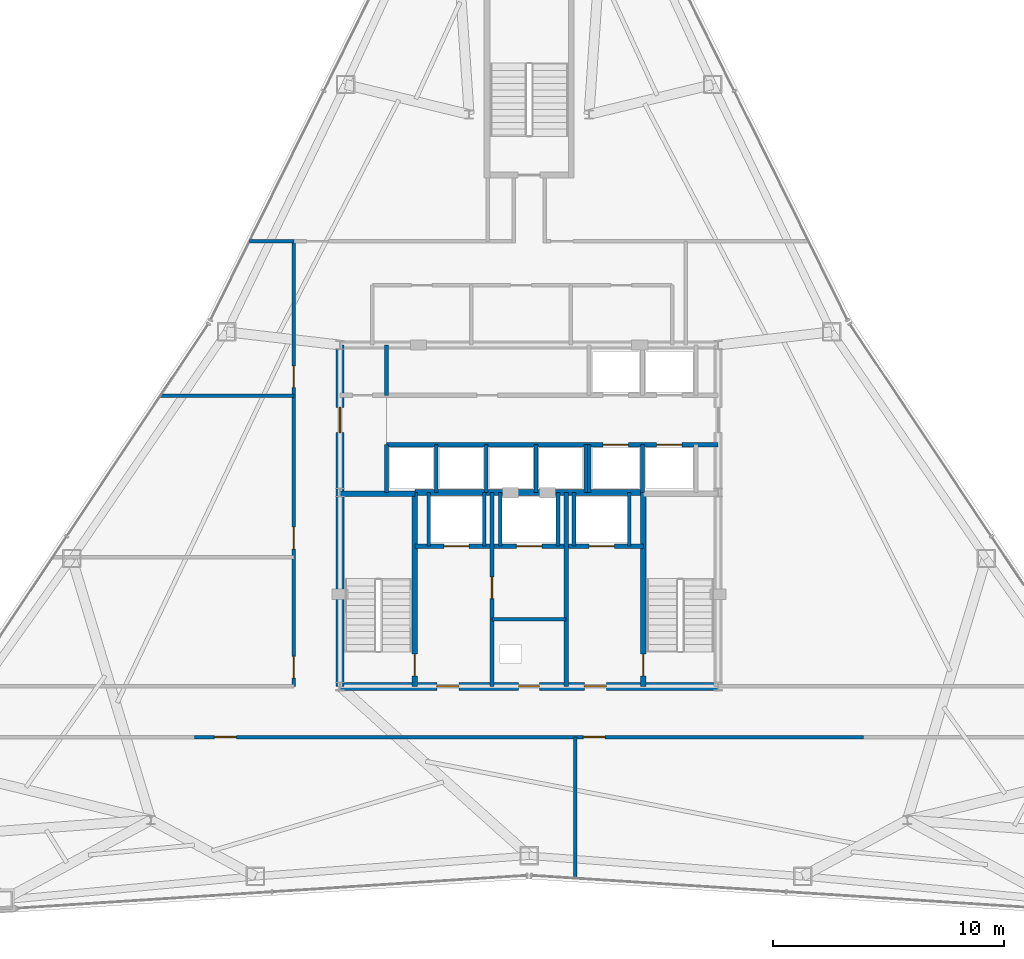
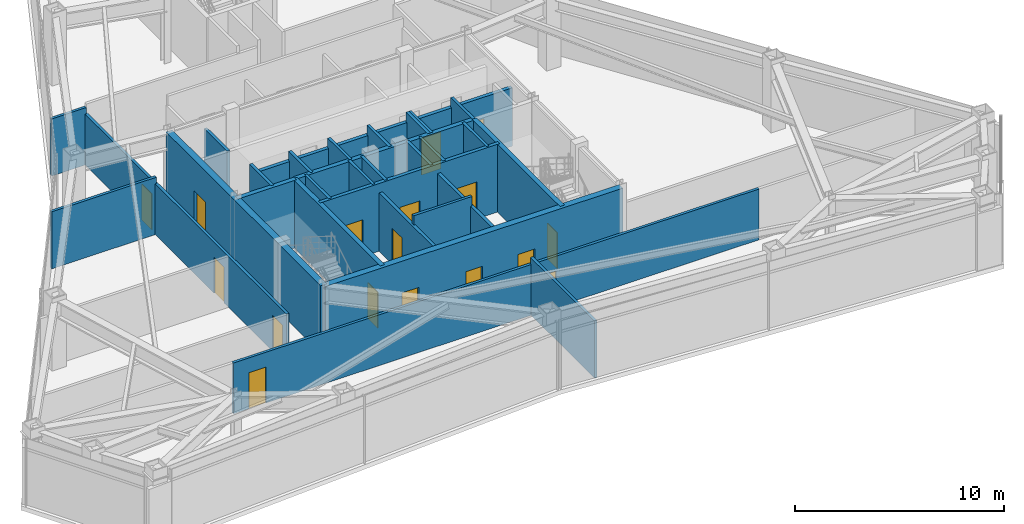
# One storey, part 10 of 13: 30 walls, 17 doors, 17 openings.
"""IFC4 building model written with IfcOpenShell, lengths in metres."""

import ifcopenshell
import ifcopenshell.guid

model = None  # the IFC model being written
_history = None  # IfcOwnerHistory: only IFC2X3 demands one
_inside = {}  # id of a spatial element -> (the spatial element, [elements in it])
_under = {}  # id of a project, library or spatial element -> (it, [spatial elements below it])
_declared = {}  # id of a project -> (the project, [libraries it declares])
_typed = {}  # id of a type object -> (the type object, [elements of that type])
_made_of = {}  # id of a material, layer set ... -> (it, [elements and type objects made of it])


def new_model(schema):
    """Start an empty IFC model of exactly this schema.

    Asked for "IFC4X3", IfcOpenShell would pick the latest addendum, in which some entities
    have other attributes; the version numbers below select the first issue.
    IFC2X3 requires an IfcOwnerHistory on every rooted entity: one is made here for all.
    """
    global model, _history
    if schema == "IFC4X3":
        model = ifcopenshell.file(schema_version=(4, 3, 0, 0))
    else:
        model = ifcopenshell.file(schema=schema)
    _inside.clear()
    _under.clear()
    _declared.clear()
    _typed.clear()
    _made_of.clear()
    _history = None
    if model.schema == "IFC2X3":
        org = make("IfcOrganization", Name="unknown")
        user = make(
            "IfcPersonAndOrganization",
            ThePerson=make("IfcPerson", FamilyName="unknown"),
            TheOrganization=org,
        )
        app = make(
            "IfcApplication",
            ApplicationDeveloper=org,
            Version="unknown",
            ApplicationFullName="unknown",
            ApplicationIdentifier="unknown",
        )
        _history = make(
            "IfcOwnerHistory",
            OwningUser=user,
            OwningApplication=app,
            ChangeAction="ADDED",
            CreationDate=0,
        )
    return model


def make(cls, **values):
    """One entity of the class cls with the attributes given. An attribute that is None is left unset."""
    return model.create_entity(
        cls, **{name: value for name, value in values.items() if value is not None}
    )


def rooted(cls, **values):
    """An entity with a GlobalId (a new one), such as an element, a storey or a relation."""
    return make(cls, GlobalId=ifcopenshell.guid.new(), OwnerHistory=_history, **values)


def si_unit(unit_type, name, prefix=None):
    """IfcSIUnit, for example si_unit("LENGTHUNIT", "METRE", prefix="MILLI")."""
    return make("IfcSIUnit", UnitType=unit_type, Prefix=prefix, Name=name)


def assignment(units):
    """IfcUnitAssignment: the units of a project."""
    return None if units is None else make("IfcUnitAssignment", Units=units)


def point(xyz):
    """IfcCartesianPoint."""
    return None if xyz is None else make("IfcCartesianPoint", Coordinates=xyz)


def direction(xyz):
    """IfcDirection."""
    return None if xyz is None else make("IfcDirection", DirectionRatios=xyz)


def frame(location, z_axis=None, x_axis=None):
    """IfcAxis2Placement3D, a coordinate frame: its origin and axes. An axis left out is left unset."""
    return make(
        "IfcAxis2Placement3D",
        Location=point(location),
        Axis=direction(z_axis),
        RefDirection=direction(x_axis),
    )


def frame_2d(location, x_axis=None):
    """IfcAxis2Placement2D, a coordinate frame in the plane: its origin and x axis."""
    return make(
        "IfcAxis2Placement2D", Location=point(location), RefDirection=direction(x_axis)
    )


def origin():
    """The frame at (0, 0, 0) with its axes left unset."""
    return frame((0.0, 0.0, 0.0))


def place(relative_to, where):
    """IfcLocalPlacement: puts the frame where relative to a parent placement (None: the world)."""
    return make(
        "IfcLocalPlacement", PlacementRelTo=relative_to, RelativePlacement=where
    )


def context(
    kind, dimensions, precision=None, world=None, true_north=None, identifier=None
):
    """IfcGeometricRepresentationContext, for example the 3D "Model" context."""
    return make(
        "IfcGeometricRepresentationContext",
        ContextIdentifier=identifier,
        ContextType=kind,
        CoordinateSpaceDimension=dimensions,
        Precision=precision,
        WorldCoordinateSystem=world,
        TrueNorth=true_north,
    )


def subcontext(parent, identifier, kind, view, scale=None):
    """IfcGeometricRepresentationSubContext, for example "Body" below "Model"."""
    return make(
        "IfcGeometricRepresentationSubContext",
        ContextIdentifier=identifier,
        ContextType=kind,
        ParentContext=parent,
        TargetScale=scale,
        TargetView=view,
    )


def project(units=None, contexts=None):
    """IfcProject with its units and contexts."""
    return rooted(
        "IfcProject",
        Name="project",
        RepresentationContexts=contexts,
        UnitsInContext=assignment(units),
    )


def spatial(cls, under=None, at=None, **own):
    """A site, building, storey or space (cls), placed at a placement, below another one or the project."""
    s = rooted(cls, ObjectPlacement=at, **own)
    if under is not None:
        _under.setdefault(under.id(), (under, []))[1].append(s)
    return s


def profile(cls, at=None, kind="AREA", **sizes):
    """A parametric profile (cls). Its sizes go by their IFC names, for example OverallWidth=200.0."""
    return make(cls, ProfileType=kind, Position=at, **sizes)


def rectangle(**sizes):
    """IfcRectangleProfileDef."""
    return profile("IfcRectangleProfileDef", **sizes)


def extrude(swept, where, along, depth):
    """IfcExtrudedAreaSolid: the profile swept, set in the frame where, extruded along a direction by depth."""
    return make(
        "IfcExtrudedAreaSolid",
        SweptArea=swept,
        Position=where,
        ExtrudedDirection=direction(along),
        Depth=depth,
    )


def shape(context_of_items, identifier, shape_type, items):
    """IfcShapeRepresentation: the items that make up one representation, for example the "Body"."""
    return make(
        "IfcShapeRepresentation",
        ContextOfItems=context_of_items,
        RepresentationIdentifier=identifier,
        RepresentationType=shape_type,
        Items=items,
    )


def material(Name=None, Category=None):
    """IfcMaterial."""
    return make("IfcMaterial", Name=Name, Category=Category)


def layer(
    of_material, thickness, ventilated=None, Name=None, Category=None, Priority=None
):
    """IfcMaterialLayer: one layer of a wall or slab, of a material (None: an air gap)."""
    return make(
        "IfcMaterialLayer",
        Material=of_material,
        LayerThickness=thickness,
        IsVentilated=ventilated,
        Name=Name,
        Category=Category,
        Priority=Priority,
    )


def layer_set(layers, Name=None):
    """IfcMaterialLayerSet."""
    return make("IfcMaterialLayerSet", MaterialLayers=layers, LayerSetName=Name)


def made_of(thing, what):
    """Note that an element or type object is made of a material, layer set ...; save() writes the relation."""
    if what is not None:
        _made_of.setdefault(what.id(), (what, []))[1].append(thing)
    return thing


def type_object(cls, material=None, **own):
    """A type object (cls), such as IfcWallType, which elements share."""
    return made_of(rooted(cls, **own), material)


def element(
    cls,
    number,
    at=None,
    inside=None,
    cuts=None,
    type_object=None,
    material=None,
    context=None,
    identifier="Body",
    shape_type=None,
    held_by="IfcProductDefinitionShape",
    body=None,
    shapes=None,
    **own,
):
    """One element of the class cls, such as IfcWall. Its Tag is "e" and its number.

    at: its placement. inside: the storey or other place that contains it. cuts: it is an
    opening in that element (IfcRelVoidsElement). A single representation is given by context,
    identifier, shape_type and body (its items); several are given by shapes. held_by: the class
    of the entity that holds the representations. save() writes the other relations.
    """
    e = rooted(cls, Tag="e%d" % number, ObjectPlacement=at, **own)
    if body is not None:
        shapes = [shape(context, identifier, shape_type, body)]
    if shapes is not None:
        e.Representation = make(held_by, Representations=shapes)
    if inside is not None:
        _inside.setdefault(inside.id(), (inside, []))[1].append(e)
    if cuts is not None:
        rooted(
            "IfcRelVoidsElement", RelatingBuildingElement=cuts, RelatedOpeningElement=e
        )
    if type_object is not None:
        _typed.setdefault(type_object.id(), (type_object, []))[1].append(e)
    return made_of(e, material)


def fill(opening, filler):
    """IfcRelFillsElement: the door or window that sits in an opening."""
    return rooted(
        "IfcRelFillsElement",
        RelatingOpeningElement=opening,
        RelatedBuildingElement=filler,
    )


def aggregate(whole, parts):
    """IfcRelAggregates: a whole, such as a stair, and the parts it consists of."""
    return rooted("IfcRelAggregates", RelatingObject=whole, RelatedObjects=parts)


def save(model, path):
    """Write the relations noted so far, then the file.

    IfcRelAggregates (storeys below a building ...), IfcRelContainedInSpatialStructure (elements
    in a storey), IfcRelDefinesByType, IfcRelAssociatesMaterial and IfcRelDeclares: one each for
    every whole, place, type object, material and project.
    """
    for whole, parts in _under.values():
        aggregate(whole, parts)
    for where, things in _inside.values():
        rooted(
            "IfcRelContainedInSpatialStructure",
            RelatedElements=things,
            RelatingStructure=where,
        )
    for kind, things in _typed.values():
        rooted("IfcRelDefinesByType", RelatedObjects=things, RelatingType=kind)
    for what, things in _made_of.values():
        rooted("IfcRelAssociatesMaterial", RelatedObjects=things, RelatingMaterial=what)
    for by, libraries in _declared.values():
        rooted("IfcRelDeclares", RelatingContext=by, RelatedDefinitions=libraries)
    model.write(path)


model = new_model("IFC4")

# Units and contexts
model_context = context("Model", 3, precision=1e-05, world=origin(), true_north=direction((0.0, 1.0)))
body_context = subcontext(model_context, "Body", "Model", "MODEL_VIEW")
ifc_project = project(units=[si_unit("LENGTHUNIT", "METRE"), si_unit("AREAUNIT", "SQUARE_METRE"), si_unit("VOLUMEUNIT", "CUBIC_METRE"), si_unit("PLANEANGLEUNIT", "RADIAN"), si_unit("MASSUNIT", "GRAM", prefix="KILO")], contexts=[model_context])

# Site, building, storey
site_placement = place(None, origin())
site = spatial("IfcSite", under=ifc_project, at=site_placement, CompositionType="ELEMENT")
building_placement = place(site_placement, origin())
building = spatial("IfcBuilding", under=site, at=building_placement, Name="Varakhsha Concourse Tower", CompositionType="ELEMENT")
storey_placement = place(building_placement, frame((0.0, 0.0, 200.699951171875)))
storey = spatial("IfcBuildingStorey", under=building, at=storey_placement, Name="L57", CompositionType="ELEMENT", Elevation=200.699951171875)

# Wall, openings, doors
ifc_material_1 = material(Name="Concrete fc 65 MPa", Category="concrete")
ifc_layer_1 = layer(ifc_material_1, 0.35009765625, Name="WL-CORE-350")
ifc_layer_set_1 = layer_set([ifc_layer_1], Name="Concrete fc 65 MPa")
wall_type_1 = type_object("IfcWallType", Name="WL-CORE-350", PredefinedType="SHEAR", material=ifc_layer_set_1)
wall_1_placement = place(storey_placement, frame((31.800048828125, 16.39990234375, 0.0), z_axis=(0.0, 0.0, 1.0), x_axis=(1.0, 0.0, 0.0)))
wall_1 = element("IfcWall", 1, at=wall_1_placement, inside=storey, type_object=wall_type_1, Name="L57 Wall CWALL-S-L57", PredefinedType="SHEAR", context=body_context, shape_type="SweptSolid", body=[
    extrude(rectangle(XDim=16.39990234375, YDim=0.35009765625, at=frame_2d((8.199951171875, 0.0))), origin(), (0.0, 0.0, 1.0), 3.949951171875),
])
opening_1_placement = place(wall_1_placement, frame((7.75, 0.0, 0.0)))
opening_1 = element("IfcOpeningElement", 2, at=opening_1_placement, cuts=wall_1, Name="Opening DF-06", PredefinedType="OPENING", context=body_context, shape_type="SweptSolid", body=[
    extrude(rectangle(XDim=0.89990234375, YDim=2.10009765625, at=frame_2d((0.449951171875, 1.050048828125))), frame((0.0, 0.18505859375, 0.0), z_axis=(0.0, -1.0, 0.0), x_axis=(1.0, 0.0, 0.0)), (0.0, 0.0, 1.0), 0.3701171875),
])
opening_2_placement = place(wall_1_placement, frame((4.199951171875, 0.0, 0.0)))
opening_2 = element("IfcOpeningElement", 3, at=opening_2_placement, cuts=wall_1, Name="Opening DF-05", PredefinedType="OPENING", context=body_context, shape_type="SweptSolid", body=[
    extrude(rectangle(XDim=0.949951171875, YDim=2.10009765625, at=frame_2d((0.47509765625, 1.050048828125))), frame((0.0, 0.18505859375, 0.0), z_axis=(0.0, -1.0, 0.0), x_axis=(1.0, 0.0, 0.0)), (0.0, 0.0, 1.0), 0.3701171875),
])
opening_3_placement = place(wall_1_placement, frame((10.60009765625, 0.0, 0.0)))
opening_3 = element("IfcOpeningElement", 4, at=opening_3_placement, cuts=wall_1, Name="Opening DF-05", PredefinedType="OPENING", context=body_context, shape_type="SweptSolid", body=[
    extrude(rectangle(XDim=0.949951171875, YDim=2.10009765625, at=frame_2d((0.47509765625, 1.050048828125))), frame((0.0, 0.18505859375, 0.0), z_axis=(0.0, -1.0, 0.0), x_axis=(1.0, 0.0, 0.0)), (0.0, 0.0, 1.0), 0.3701171875),
])
ifc_material_2 = material(Name="Hollow Galvanised Steel Fire Door Assembly", Category="steel")
door_type_1 = type_object("IfcDoorType", Name="DR-FD60-900", OperationType="NOTDEFINED", PredefinedType="DOOR", material=ifc_material_2)
door_1_placement = place(opening_1_placement, origin())
door_1 = element("IfcDoor", 5, at=door_1_placement, inside=storey, type_object=door_type_1, Name="L57 Electrical Riser Access Door", OperationType="SINGLE_SWING_LEFT", OverallHeight=2.10009765625, OverallWidth=0.89990234375, PredefinedType="DOOR", context=body_context, shape_type="SweptSolid", body=[
    extrude(rectangle(XDim=0.89990234375, YDim=2.10009765625, at=frame_2d((0.449951171875, 1.050048828125))), frame((0.0, 0.02490234375, 0.0), z_axis=(0.0, -1.0, 0.0), x_axis=(1.0, 0.0, 0.0)), (0.0, 0.0, 1.0), 0.050048828125),
])
fill(opening_1, door_1)
door_type_2 = type_object("IfcDoorType", Name="DR-FD60-950", OperationType="NOTDEFINED", PredefinedType="DOOR", material=ifc_material_2)
door_2_placement = place(opening_2_placement, origin())
door_2 = element("IfcDoor", 6, at=door_2_placement, inside=storey, type_object=door_type_2, Name="L57 Firefighting Lobby West Door", OperationType="SINGLE_SWING_RIGHT", OverallHeight=2.10009765625, OverallWidth=0.949951171875, PredefinedType="DOOR", context=body_context, shape_type="SweptSolid", body=[
    extrude(rectangle(XDim=0.949951171875, YDim=2.10009765625, at=frame_2d((0.47509765625, 1.050048828125))), frame((0.0, 0.02490234375, 0.0), z_axis=(0.0, -1.0, 0.0), x_axis=(1.0, 0.0, 0.0)), (0.0, 0.0, 1.0), 0.050048828125),
])
fill(opening_2, door_2)
door_3_placement = place(opening_3_placement, origin())
door_3 = element("IfcDoor", 7, at=door_3_placement, inside=storey, type_object=door_type_2, Name="L57 Firefighting Lobby East Door", OperationType="SINGLE_SWING_LEFT", OverallHeight=2.10009765625, OverallWidth=0.949951171875, PredefinedType="DOOR", context=body_context, shape_type="SweptSolid", body=[
    extrude(rectangle(XDim=0.949951171875, YDim=2.10009765625, at=frame_2d((0.47509765625, 1.050048828125))), frame((0.0, 0.02490234375, 0.0), z_axis=(0.0, -1.0, 0.0), x_axis=(1.0, 0.0, 0.0)), (0.0, 0.0, 1.0), 0.050048828125),
])
fill(opening_3, door_3)

# Wall, opening, door
wall_2_placement = place(storey_placement, frame((31.800048828125, 16.39990234375, 0.0), z_axis=(0.0, 0.0, 1.0), x_axis=(0.0, 1.0, 0.0)))
wall_2 = element("IfcWall", 8, at=wall_2_placement, inside=storey, type_object=wall_type_1, Name="L57 Wall CWALL-W-L57", PredefinedType="SHEAR", context=body_context, shape_type="SweptSolid", body=[
    extrude(rectangle(XDim=14.800048828125, YDim=0.35009765625, at=frame_2d((7.39990234375, 0.0))), origin(), (0.0, 0.0, 1.0), 3.949951171875),
])
opening_4_placement = place(wall_2_placement, frame((11.0, 0.0, 0.0)))
opening_4 = element("IfcOpeningElement", 9, at=opening_4_placement, cuts=wall_2, Name="Opening DL-01", PredefinedType="OPENING", context=body_context, shape_type="SweptSolid", body=[
    extrude(rectangle(XDim=1.10009765625, YDim=2.14990234375, at=frame_2d((0.550048828125, 1.074951171875))), frame((0.0, 0.18505859375, 0.0), z_axis=(0.0, -1.0, 0.0), x_axis=(1.0, 0.0, 0.0)), (0.0, 0.0, 1.0), 0.3701171875),
])
ifc_material_3 = material(Name="Anodised Bronze Architectural Aluminium AA 6063-T6", Category="aluminium")
door_type_3 = type_object("IfcDoorType", Name="DR-LOB-1100", OperationType="NOTDEFINED", PredefinedType="DOOR", material=ifc_material_3)
door_4_placement = place(opening_4_placement, origin())
door_4 = element("IfcDoor", 10, at=door_4_placement, inside=storey, type_object=door_type_3, Name="L57 Lift Lobby West Concourse Door", OperationType="SINGLE_SWING_LEFT", OverallHeight=2.14990234375, OverallWidth=1.10009765625, PredefinedType="DOOR", context=body_context, shape_type="SweptSolid", body=[
    extrude(rectangle(XDim=1.10009765625, YDim=2.14990234375, at=frame_2d((0.550048828125, 1.074951171875))), frame((0.0, 0.02490234375, 0.0), z_axis=(0.0, -1.0, 0.0), x_axis=(1.0, 0.0, 0.0)), (0.0, 0.0, 1.0), 0.050048828125),
])
fill(opening_4, door_4)

ifc_material_4 = material(Name="Fire-Rated Type X Gypsum Partition Assembly", Category="gypsum")
ifc_layer_2 = layer(ifc_material_4, 0.179931640625, Name="WL-FFLOB-180")
ifc_layer_set_2 = layer_set([ifc_layer_2], Name="Fire-Rated Type X Gypsum Partition Assembly")
wall_type_2 = type_object("IfcWallType", Name="WL-FFLOB-180", PredefinedType="PARTITIONING", material=ifc_layer_set_2)
wall_3_placement = place(storey_placement, frame((38.389892578125, 16.39990234375, 0.0), z_axis=(0.0, 0.0, 1.0), x_axis=(0.0, 1.0, 0.0)))
wall_3 = element("IfcWall", 11, at=wall_3_placement, inside=storey, type_object=wall_type_2, Name="L57 Wall FFW-1E-L57", PredefinedType="PARTITIONING", context=body_context, shape_type="SweptSolid", body=[
    extrude(rectangle(XDim=8.400146484375, YDim=0.179931640625, at=frame_2d((4.2001953125, 0.0))), origin(), (0.0, 0.0, 1.0), 3.405029296875),
])
opening_5_placement = place(wall_3_placement, frame((3.800048828125, 0.0, 0.0)))
opening_5 = element("IfcOpeningElement", 12, at=opening_5_placement, cuts=wall_3, Name="Opening DF-05", PredefinedType="OPENING", context=body_context, shape_type="SweptSolid", body=[
    extrude(rectangle(XDim=0.949951171875, YDim=2.10009765625, at=frame_2d((0.47509765625, 1.050048828125))), frame((0.0, 0.099853515625, 0.0), z_axis=(0.0, -1.0, 0.0), x_axis=(1.0, 0.0, 0.0)), (0.0, 0.0, 1.0), 0.199951171875),
])
door_5_placement = place(opening_5_placement, origin())
door_5 = element("IfcDoor", 13, at=door_5_placement, inside=storey, type_object=door_type_2, Name="L57 Service Vestibule Door", OperationType="SINGLE_SWING_RIGHT", OverallHeight=2.10009765625, OverallWidth=0.949951171875, PredefinedType="DOOR", context=body_context, shape_type="SweptSolid", body=[
    extrude(rectangle(XDim=0.949951171875, YDim=2.10009765625, at=frame_2d((0.47509765625, 1.050048828125))), frame((0.0, 0.02490234375, 0.0), z_axis=(0.0, -1.0, 0.0), x_axis=(1.0, 0.0, 0.0)), (0.0, 0.0, 1.0), 0.050048828125),
])
fill(opening_5, door_5)

# Walls
wall_4_placement = place(storey_placement, frame((41.610107421875, 16.39990234375, 0.0), z_axis=(0.0, 0.0, 1.0), x_axis=(0.0, 1.0, 0.0)))
element("IfcWall", 14, at=wall_4_placement, inside=storey, type_object=wall_type_2, Name="L57 Wall FFW-2W-L57", PredefinedType="PARTITIONING", context=body_context, shape_type="SweptSolid", body=[
    extrude(rectangle(XDim=8.400146484375, YDim=0.179931640625, at=frame_2d((4.2001953125, 0.0))), origin(), (0.0, 0.0, 1.0), 3.405029296875),
])
ifc_layer_3 = layer(ifc_material_4, 0.14990234375, Name="WL-PART-150")
ifc_layer_set_3 = layer_set([ifc_layer_3], Name="Fire-Rated Type X Gypsum Partition Assembly")
wall_type_3 = type_object("IfcWallType", Name="WL-PART-150", PredefinedType="PARTITIONING", material=ifc_layer_set_3)
wall_5_placement = place(storey_placement, frame((38.389892578125, 19.300048828125, 0.0), z_axis=(0.0, 0.0, 1.0), x_axis=(1.0, 0.0, 0.0)))
element("IfcWall", 15, at=wall_5_placement, inside=storey, type_object=wall_type_3, Name="L57 Wall RSW-H-L57", PredefinedType="PARTITIONING", context=body_context, shape_type="SweptSolid", body=[
    extrude(rectangle(XDim=3.22021484375, YDim=0.14990234375, at=frame_2d((1.610107421875, 0.0))), origin(), (0.0, 0.0, 1.0), 3.949951171875),
])

# Wall, openings, doors
wall_6_placement = place(storey_placement, frame((29.800048828125, 16.39990234375, 0.0), z_axis=(0.0, 0.0, 1.0), x_axis=(0.0, 1.0, 0.0)))
wall_6 = element("IfcWall", 16, at=wall_6_placement, inside=storey, type_object=wall_type_3, Name="L57 Wall CRW-W-L57", PredefinedType="PARTITIONING", context=body_context, shape_type="SweptSolid", body=[
    extrude(rectangle(XDim=19.300048828125, YDim=0.14990234375, at=frame_2d((9.64990234375, 0.0))), origin(), (0.0, 0.0, 1.0), 2.965087890625),
])
opening_6_placement = place(wall_6_placement, frame((0.35009765625, 0.0, 0.0)))
opening_6 = element("IfcOpeningElement", 17, at=opening_6_placement, cuts=wall_6, Name="Opening DF-05", PredefinedType="OPENING", context=body_context, shape_type="SweptSolid", body=[
    extrude(rectangle(XDim=0.949951171875, YDim=2.10009765625, at=frame_2d((0.47509765625, 1.050048828125))), frame((0.0, 0.0849609375, 0.0), z_axis=(0.0, -1.0, 0.0), x_axis=(1.0, 0.0, 0.0)), (0.0, 0.0, 1.0), 0.169921875),
])
opening_7_placement = place(wall_6_placement, frame((5.949951171875, 0.0, 0.0)))
opening_7 = element("IfcOpeningElement", 18, at=opening_7_placement, cuts=wall_6, Name="Opening DF-05", PredefinedType="OPENING", context=body_context, shape_type="SweptSolid", body=[
    extrude(rectangle(XDim=0.949951171875, YDim=2.10009765625, at=frame_2d((0.47509765625, 1.050048828125))), frame((0.0, 0.0849609375, 0.0), z_axis=(0.0, -1.0, 0.0), x_axis=(1.0, 0.0, 0.0)), (0.0, 0.0, 1.0), 0.169921875),
])
opening_8_placement = place(wall_6_placement, frame((12.949951171875, 0.0, 0.0)))
opening_8 = element("IfcOpeningElement", 19, at=opening_8_placement, cuts=wall_6, Name="Opening DF-05", PredefinedType="OPENING", context=body_context, shape_type="SweptSolid", body=[
    extrude(rectangle(XDim=0.949951171875, YDim=2.10009765625, at=frame_2d((0.47509765625, 1.050048828125))), frame((0.0, 0.0849609375, 0.0), z_axis=(0.0, -1.0, 0.0), x_axis=(1.0, 0.0, 0.0)), (0.0, 0.0, 1.0), 0.169921875),
])
door_6_placement = place(opening_6_placement, origin())
door_6 = element("IfcDoor", 20, at=door_6_placement, inside=storey, type_object=door_type_2, Name="L57 Open Concourse Studio L57 Door", OperationType="SINGLE_SWING_LEFT", OverallHeight=2.10009765625, OverallWidth=0.949951171875, PredefinedType="DOOR", context=body_context, shape_type="SweptSolid", body=[
    extrude(rectangle(XDim=0.949951171875, YDim=2.10009765625, at=frame_2d((0.47509765625, 1.050048828125))), frame((0.0, 0.02490234375, 0.0), z_axis=(0.0, -1.0, 0.0), x_axis=(1.0, 0.0, 0.0)), (0.0, 0.0, 1.0), 0.050048828125),
])
fill(opening_6, door_6)
door_7_placement = place(opening_7_placement, origin())
door_7 = element("IfcDoor", 21, at=door_7_placement, inside=storey, type_object=door_type_2, Name="L57 Sky Lobby Transfer Lounge L57-W2 Door", OperationType="SINGLE_SWING_RIGHT", OverallHeight=2.10009765625, OverallWidth=0.949951171875, PredefinedType="DOOR", context=body_context, shape_type="SweptSolid", body=[
    extrude(rectangle(XDim=0.949951171875, YDim=2.10009765625, at=frame_2d((0.47509765625, 1.050048828125))), frame((0.0, 0.02490234375, 0.0), z_axis=(0.0, -1.0, 0.0), x_axis=(1.0, 0.0, 0.0)), (0.0, 0.0, 1.0), 0.050048828125),
])
fill(opening_7, door_7)
door_8_placement = place(opening_8_placement, origin())
door_8 = element("IfcDoor", 22, at=door_8_placement, inside=storey, type_object=door_type_2, Name="L57 Sky Lobby Transfer Lounge L57-W3 Door", OperationType="SINGLE_SWING_LEFT", OverallHeight=2.10009765625, OverallWidth=0.949951171875, PredefinedType="DOOR", context=body_context, shape_type="SweptSolid", body=[
    extrude(rectangle(XDim=0.949951171875, YDim=2.10009765625, at=frame_2d((0.47509765625, 1.050048828125))), frame((0.0, 0.02490234375, 0.0), z_axis=(0.0, -1.0, 0.0), x_axis=(1.0, 0.0, 0.0)), (0.0, 0.0, 1.0), 0.050048828125),
])
fill(opening_8, door_8)

wall_7_placement = place(storey_placement, frame((25.5, 14.199951171875, 0.0), z_axis=(0.0, 0.0, 1.0), x_axis=(1.0, 0.0, 0.0)))
wall_7 = element("IfcWall", 23, at=wall_7_placement, inside=storey, type_object=wall_type_3, Name="L57 Wall CRW-S-DOOR-L57", PredefinedType="PARTITIONING", context=body_context, shape_type="SweptSolid", body=[
    extrude(rectangle(XDim=29.0, YDim=0.14990234375, at=frame_2d((14.5, 0.0))), origin(), (0.0, 0.0, 1.0), 2.965087890625),
])
opening_9_placement = place(wall_7_placement, frame((0.85009765625, 0.0, 0.0)))
opening_9 = element("IfcOpeningElement", 24, at=opening_9_placement, cuts=wall_7, Name="Opening DF-05", PredefinedType="OPENING", context=body_context, shape_type="SweptSolid", body=[
    extrude(rectangle(XDim=0.949951171875, YDim=2.10009765625, at=frame_2d((0.47509765625, 1.050048828125))), frame((0.0, 0.0849609375, 0.0), z_axis=(0.0, -1.0, 0.0), x_axis=(1.0, 0.0, 0.0)), (0.0, 0.0, 1.0), 0.169921875),
])
opening_10_placement = place(wall_7_placement, frame((16.85009765625, 0.0, 0.0)))
opening_10 = element("IfcOpeningElement", 25, at=opening_10_placement, cuts=wall_7, Name="Opening DF-05", PredefinedType="OPENING", context=body_context, shape_type="SweptSolid", body=[
    extrude(rectangle(XDim=0.949951171875, YDim=2.10009765625, at=frame_2d((0.47509765625, 1.050048828125))), frame((0.0, 0.0849609375, 0.0), z_axis=(0.0, -1.0, 0.0), x_axis=(1.0, 0.0, 0.0)), (0.0, 0.0, 1.0), 0.169921875),
])
door_9_placement = place(opening_9_placement, origin())
door_9 = element("IfcDoor", 26, at=door_9_placement, inside=storey, type_object=door_type_2, Name="L57 Concourse Briefing Room L57-S1 Door", OperationType="SINGLE_SWING_LEFT", OverallHeight=2.10009765625, OverallWidth=0.949951171875, PredefinedType="DOOR", context=body_context, shape_type="SweptSolid", body=[
    extrude(rectangle(XDim=0.949951171875, YDim=2.10009765625, at=frame_2d((0.47509765625, 1.050048828125))), frame((0.0, 0.02490234375, 0.0), z_axis=(0.0, -1.0, 0.0), x_axis=(1.0, 0.0, 0.0)), (0.0, 0.0, 1.0), 0.050048828125),
])
fill(opening_9, door_9)
door_10_placement = place(opening_10_placement, origin())
door_10 = element("IfcDoor", 27, at=door_10_placement, inside=storey, type_object=door_type_2, Name="L57 Sky Lobby Transfer Lounge L57-S2 Door", OperationType="SINGLE_SWING_RIGHT", OverallHeight=2.10009765625, OverallWidth=0.949951171875, PredefinedType="DOOR", context=body_context, shape_type="SweptSolid", body=[
    extrude(rectangle(XDim=0.949951171875, YDim=2.10009765625, at=frame_2d((0.47509765625, 1.050048828125))), frame((0.0, 0.02490234375, 0.0), z_axis=(0.0, -1.0, 0.0), x_axis=(1.0, 0.0, 0.0)), (0.0, 0.0, 1.0), 0.050048828125),
])
fill(opening_10, door_10)

# Walls
wall_8_placement = place(storey_placement, frame((42.0, 8.0771484375, 0.0), z_axis=(0.0, 0.0, 1.0), x_axis=(0.0, 1.0, 0.0)))
element("IfcWall", 28, at=wall_8_placement, inside=storey, type_object=wall_type_3, Name="L57 Wall ODIV-S1-L57", PredefinedType="PARTITIONING", context=body_context, shape_type="SweptSolid", body=[
    extrude(rectangle(XDim=6.122802734375, YDim=0.14990234375, at=frame_2d((3.0615234375, 0.0))), origin(), (0.0, 0.0, 1.0), 3.3291015625),
])
wall_9_placement = place(storey_placement, frame((27.881103515625, 35.699951171875, 0.0), z_axis=(0.0, 0.0, 1.0), x_axis=(1.0, 0.0, 0.0)))
element("IfcWall", 29, at=wall_9_placement, inside=storey, type_object=wall_type_3, Name="L57 Wall ODIV-WBN-L57", PredefinedType="PARTITIONING", context=body_context, shape_type="SweptSolid", body=[
    extrude(rectangle(XDim=1.9189453125, YDim=0.14990234375, at=frame_2d((0.95947265625, 0.0))), origin(), (0.0, 0.0, 1.0), 3.3291015625),
])
wall_10_placement = place(storey_placement, frame((24.017822265625, 29.0, 0.0), z_axis=(0.0, 0.0, 1.0), x_axis=(1.0, 0.0, 0.0)))
element("IfcWall", 30, at=wall_10_placement, inside=storey, type_object=wall_type_3, Name="L57 Wall ODIV-W2-L57", PredefinedType="PARTITIONING", context=body_context, shape_type="SweptSolid", body=[
    extrude(rectangle(XDim=5.7822265625, YDim=0.14990234375, at=frame_2d((2.89111328125, 0.0))), origin(), (0.0, 0.0, 1.0), 3.3291015625),
])

# Wall, openings, doors
ifc_layer_4 = layer(ifc_material_4, 0.199951171875, Name="WL-SHAFT-220")
ifc_layer_set_4 = layer_set([ifc_layer_4], Name="Fire-Rated Type X Gypsum Partition Assembly")
wall_type_4 = type_object("IfcWallType", Name="WL-SHAFT-220", PredefinedType="SOLIDWALL", material=ifc_layer_set_4)
wall_11_placement = place(storey_placement, frame((35.044921875, 22.47998046875, 0.0), z_axis=(0.0, 0.0, 1.0), x_axis=(1.0, 0.0, 0.0)))
wall_11 = element("IfcWall", 31, at=wall_11_placement, inside=storey, type_object=wall_type_4, Name="L57 Wall FFW-NH-L57", PredefinedType="SOLIDWALL", context=body_context, shape_type="SweptSolid", body=[
    extrude(rectangle(XDim=9.91015625, YDim=0.199951171875, at=frame_2d((4.955078125, 0.0))), origin(), (0.0, 0.0, 1.0), 3.949951171875),
])
opening_11_placement = place(wall_11_placement, frame((1.2548828125, 0.0, 0.0)))
opening_11 = element("IfcOpeningElement", 32, at=opening_11_placement, cuts=wall_11, Name="Opening LD-FFL-1", PredefinedType="OPENING", context=body_context, shape_type="SweptSolid", body=[
    extrude(rectangle(XDim=1.10009765625, YDim=2.14990234375, at=frame_2d((0.550048828125, 1.074951171875))), frame((0.0, 0.10986328125, 0.0), z_axis=(0.0, -1.0, 0.0), x_axis=(1.0, 0.0, 0.0)), (0.0, 0.0, 1.0), 0.219970703125),
])
opening_12_placement = place(wall_11_placement, frame((7.554931640625, 0.0, 0.0)))
opening_12 = element("IfcOpeningElement", 33, at=opening_12_placement, cuts=wall_11, Name="Opening LD-FFL-2", PredefinedType="OPENING", context=body_context, shape_type="SweptSolid", body=[
    extrude(rectangle(XDim=1.10009765625, YDim=2.14990234375, at=frame_2d((0.550048828125, 1.074951171875))), frame((0.0, 0.10986328125, 0.0), z_axis=(0.0, -1.0, 0.0), x_axis=(1.0, 0.0, 0.0)), (0.0, 0.0, 1.0), 0.219970703125),
])
opening_13_placement = place(wall_11_placement, frame((4.405029296875, 0.0, 0.0)))
opening_13 = element("IfcOpeningElement", 34, at=opening_13_placement, cuts=wall_11, Name="Opening LD-SVL-1", PredefinedType="OPENING", context=body_context, shape_type="SweptSolid", body=[
    extrude(rectangle(XDim=1.10009765625, YDim=2.14990234375, at=frame_2d((0.550048828125, 1.074951171875))), frame((0.0, 0.10986328125, 0.0), z_axis=(0.0, -1.0, 0.0), x_axis=(1.0, 0.0, 0.0)), (0.0, 0.0, 1.0), 0.219970703125),
])
ifc_material_5 = material(Name="Brushed Austenitic Stainless Steel AISI 316", Category="steel")
door_type_4 = type_object("IfcDoorType", Name="DR-LD-1100", OperationType="DOUBLE_DOOR_SLIDING", PredefinedType="DOOR", material=ifc_material_5)
door_11_placement = place(opening_11_placement, origin())
door_11 = element("IfcDoor", 35, at=door_11_placement, inside=storey, type_object=door_type_4, Name="Lift Landing Door FFL-1 L57", OperationType="DOUBLE_DOOR_SLIDING", OverallHeight=2.14990234375, OverallWidth=1.10009765625, PredefinedType="DOOR", context=body_context, shape_type="SweptSolid", body=[
    extrude(rectangle(XDim=1.10009765625, YDim=2.14990234375, at=frame_2d((0.550048828125, 1.074951171875))), frame((0.0, 0.02490234375, 0.0), z_axis=(0.0, -1.0, 0.0), x_axis=(1.0, 0.0, 0.0)), (0.0, 0.0, 1.0), 0.050048828125),
])
fill(opening_11, door_11)
door_12_placement = place(opening_12_placement, origin())
door_12 = element("IfcDoor", 36, at=door_12_placement, inside=storey, type_object=door_type_4, Name="Lift Landing Door FFL-2 L57", OperationType="DOUBLE_DOOR_SLIDING", OverallHeight=2.14990234375, OverallWidth=1.10009765625, PredefinedType="DOOR", context=body_context, shape_type="SweptSolid", body=[
    extrude(rectangle(XDim=1.10009765625, YDim=2.14990234375, at=frame_2d((0.550048828125, 1.074951171875))), frame((0.0, 0.02490234375, 0.0), z_axis=(0.0, -1.0, 0.0), x_axis=(1.0, 0.0, 0.0)), (0.0, 0.0, 1.0), 0.050048828125),
])
fill(opening_12, door_12)
door_13_placement = place(opening_13_placement, origin())
door_13 = element("IfcDoor", 37, at=door_13_placement, inside=storey, type_object=door_type_4, Name="Lift Landing Door SVL-1 L57", OperationType="DOUBLE_DOOR_SLIDING", OverallHeight=2.14990234375, OverallWidth=1.10009765625, PredefinedType="DOOR", context=body_context, shape_type="SweptSolid", body=[
    extrude(rectangle(XDim=1.10009765625, YDim=2.14990234375, at=frame_2d((0.550048828125, 1.074951171875))), frame((0.0, 0.02490234375, 0.0), z_axis=(0.0, -1.0, 0.0), x_axis=(1.0, 0.0, 0.0)), (0.0, 0.0, 1.0), 0.050048828125),
])
fill(opening_13, door_13)

# Walls
for number, where, z_axis, x_axis, name in (
    (38, (35.64990234375, 22.47998046875, 0.0), (0.0, 0.0, 1.0), (0.0, 1.0, 0.0), "L57 Wall SHW-FFL-1-W-L57"),
    (39, (38.050048828125, 22.47998046875, 0.0), (0.0, 0.0, 1.0), (0.0, 1.0, 0.0), "L57 Wall SHW-FFL-1-E-L57"),
    (40, (41.949951171875, 22.47998046875, 0.0), (0.0, 0.0, 1.0), (0.0, 1.0, 0.0), "L57 Wall SHW-FFL-2-W-L57"),
    (41, (44.35009765625, 22.47998046875, 0.0), (0.0, 0.0, 1.0), (0.0, 1.0, 0.0), "L57 Wall SHW-FFL-2-E-L57"),
    (42, (38.75, 22.47998046875, 0.0), (0.0, 0.0, 1.0), (0.0, 1.0, 0.0), "L57 Wall SHW-SVL-1-W-L57"),
    (43, (41.25, 22.47998046875, 0.0), (0.0, 0.0, 1.0), (0.0, 1.0, 0.0), "L57 Wall SHW-SVL-1-E-L57"),
):
    element("IfcWall", number, at=place(storey_placement, frame(where, z_axis=z_axis, x_axis=x_axis)), inside=storey, type_object=wall_type_4, Name=name, PredefinedType="SOLIDWALL", context=body_context, shape_type="SweptSolid", body=[
        extrude(rectangle(XDim=2.320068359375, YDim=0.159912109375, at=frame_2d((1.16015625, 0.0))), origin(), (0.0, 0.0, 1.0), 3.949951171875),
    ])

# Wall, openings, doors
wall_12_placement = place(storey_placement, frame((33.820068359375, 26.8798828125, 0.0), z_axis=(0.0, 0.0, 1.0), x_axis=(1.0, 0.0, 0.0)))
wall_12 = element("IfcWall", 44, at=wall_12_placement, inside=storey, type_object=wall_type_4, Name="L57 Wall PLW-S-L57", PredefinedType="SOLIDWALL", context=body_context, shape_type="SweptSolid", body=[
    extrude(rectangle(XDim=14.3798828125, YDim=0.199951171875, at=frame_2d((7.18994140625, 0.0))), origin(), (0.0, 0.0, 1.0), 3.405029296875),
])
opening_14_placement = place(wall_12_placement, frame((9.389892578125, 0.0, 0.0)))
opening_14 = element("IfcOpeningElement", 45, at=opening_14_placement, cuts=wall_12, Name="Opening LD-LF-P11", PredefinedType="OPENING", context=body_context, shape_type="SweptSolid", body=[
    extrude(rectangle(XDim=1.10009765625, YDim=2.14990234375, at=frame_2d((0.550048828125, 1.074951171875))), frame((0.0, 0.10986328125, 0.0), z_axis=(0.0, -1.0, 0.0), x_axis=(1.0, 0.0, 0.0)), (0.0, 0.0, 1.0), 0.219970703125),
])
opening_15_placement = place(wall_12_placement, frame((11.7099609375, 0.0, 0.0)))
opening_15 = element("IfcOpeningElement", 46, at=opening_15_placement, cuts=wall_12, Name="Opening LD-LF-P12", PredefinedType="OPENING", context=body_context, shape_type="SweptSolid", body=[
    extrude(rectangle(XDim=1.10009765625, YDim=2.14990234375, at=frame_2d((0.550048828125, 1.074951171875))), frame((0.0, 0.10986328125, 0.0), z_axis=(0.0, -1.0, 0.0), x_axis=(1.0, 0.0, 0.0)), (0.0, 0.0, 1.0), 0.219970703125),
])
door_14_placement = place(opening_14_placement, origin())
door_14 = element("IfcDoor", 47, at=door_14_placement, inside=storey, type_object=door_type_4, Name="Lift Landing Door LF-P11 L57", OperationType="DOUBLE_DOOR_SLIDING", OverallHeight=2.14990234375, OverallWidth=1.10009765625, PredefinedType="DOOR", context=body_context, shape_type="SweptSolid", body=[
    extrude(rectangle(XDim=1.10009765625, YDim=2.14990234375, at=frame_2d((0.550048828125, 1.074951171875))), frame((0.0, 0.02490234375, 0.0), z_axis=(0.0, -1.0, 0.0), x_axis=(1.0, 0.0, 0.0)), (0.0, 0.0, 1.0), 0.050048828125),
])
fill(opening_14, door_14)
door_15_placement = place(opening_15_placement, origin())
door_15 = element("IfcDoor", 48, at=door_15_placement, inside=storey, type_object=door_type_4, Name="Lift Landing Door LF-P12 L57", OperationType="DOUBLE_DOOR_SLIDING", OverallHeight=2.14990234375, OverallWidth=1.10009765625, PredefinedType="DOOR", context=body_context, shape_type="SweptSolid", body=[
    extrude(rectangle(XDim=1.10009765625, YDim=2.14990234375, at=frame_2d((0.550048828125, 1.074951171875))), frame((0.0, 0.02490234375, 0.0), z_axis=(0.0, -1.0, 0.0), x_axis=(1.0, 0.0, 0.0)), (0.0, 0.0, 1.0), 0.050048828125),
])
fill(opening_15, door_15)

# Walls
wall_13_placement = place(storey_placement, frame((33.820068359375, 29.02001953125, 0.0), z_axis=(0.0, 0.0, 1.0), x_axis=(0.0, 1.0, 0.0)))
element("IfcWall", 49, at=wall_13_placement, inside=storey, type_object=wall_type_4, Name="L57 Wall WBOH-E1-L57", PredefinedType="SOLIDWALL", context=body_context, shape_type="SweptSolid", body=[
    extrude(rectangle(XDim=2.179931640625, YDim=0.159912109375, at=frame_2d((1.08984375, 0.0))), origin(), (0.0, 0.0, 1.0), 3.405029296875),
])
for number, where, z_axis, x_axis, name in (
    (50, (33.820068359375, 24.800048828125, 0.0), (0.0, 0.0, 1.0), (0.0, 1.0, 0.0), "L57 Wall WBOH-E2-L57"),
    (51, (35.97998046875, 24.800048828125, 0.0), (0.0, 0.0, 1.0), (0.0, 1.0, 0.0), "L57 Wall SHW-LF-P05-E-L57"),
    (52, (38.139892578125, 24.800048828125, 0.0), (0.0, 0.0, 1.0), (0.0, 1.0, 0.0), "L57 Wall SHW-LF-P06-E-L57"),
    (53, (40.300048828125, 24.800048828125, 0.0), (0.0, 0.0, 1.0), (0.0, 1.0, 0.0), "L57 Wall SHW-LF-P07-E-L57"),
    (54, (42.4599609375, 24.800048828125, 0.0), (0.0, 0.0, 1.0), (0.0, 1.0, 0.0), "L57 Wall SHW-LF-P08-E-L57"),
    (55, (42.60009765625, 24.800048828125, 0.0), (0.0, 0.0, 1.0), (0.0, 1.0, 0.0), "L57 Wall SHW-LF-P11-W-L57"),
    (56, (44.919921875, 24.800048828125, 0.0), (0.0, 0.0, 1.0), (0.0, 1.0, 0.0), "L57 Wall SHW-LF-P11-E-L57"),
):
    element("IfcWall", number, at=place(storey_placement, frame(where, z_axis=z_axis, x_axis=x_axis)), inside=storey, type_object=wall_type_4, Name=name, PredefinedType="SOLIDWALL", context=body_context, shape_type="SweptSolid", body=[
        extrude(rectangle(XDim=2.079833984375, YDim=0.159912109375, at=frame_2d((1.0400390625, 0.0))), origin(), (0.0, 0.0, 1.0), 3.949951171875),
    ])

# Wall, opening, door
ifc_material_6 = material(Name="Concrete fc 45 MPa", Category="concrete")
ifc_layer_5 = layer(ifc_material_6, 0.25, Name="WL-STAIR-250")
ifc_layer_set_5 = layer_set([ifc_layer_5], Name="Concrete fc 45 MPa")
wall_type_5 = type_object("IfcWallType", Name="WL-STAIR-250", PredefinedType="SHEAR", material=ifc_layer_set_5)
wall_14_placement = place(storey_placement, frame((35.044921875, 16.39990234375, 0.0), z_axis=(0.0, 0.0, 1.0), x_axis=(0.0, 1.0, 0.0)))
wall_14 = element("IfcWall", 57, at=wall_14_placement, inside=storey, type_object=wall_type_5, Name="L57 Wall SWALL-ST1-E-L57", PredefinedType="SHEAR", context=body_context, shape_type="SweptSolid", body=[
    extrude(rectangle(XDim=8.400146484375, YDim=0.25, at=frame_2d((4.2001953125, 0.0))), origin(), (0.0, 0.0, 1.0), 3.949951171875),
])
opening_16_placement = place(wall_14_placement, frame((0.449951171875, 0.0, 0.0)))
opening_16 = element("IfcOpeningElement", 58, at=opening_16_placement, cuts=wall_14, Name="Opening DF-03", PredefinedType="OPENING", context=body_context, shape_type="SweptSolid", body=[
    extrude(rectangle(XDim=0.949951171875, YDim=2.10009765625, at=frame_2d((0.47509765625, 1.050048828125))), frame((0.0, 0.135009765625, 0.0), z_axis=(0.0, -1.0, 0.0), x_axis=(1.0, 0.0, 0.0)), (0.0, 0.0, 1.0), 0.27001953125),
])
door_type_5 = type_object("IfcDoorType", Name="DR-FD90-950", OperationType="NOTDEFINED", PredefinedType="DOOR", material=ifc_material_2)
door_16_placement = place(opening_16_placement, origin())
door_16 = element("IfcDoor", 59, at=door_16_placement, inside=storey, type_object=door_type_5, Name="L57 Stair ST1 Fire Door", OperationType="SINGLE_SWING_LEFT", OverallHeight=2.10009765625, OverallWidth=0.949951171875, PredefinedType="DOOR", context=body_context, shape_type="SweptSolid", body=[
    extrude(rectangle(XDim=0.949951171875, YDim=2.10009765625, at=frame_2d((0.47509765625, 1.050048828125))), frame((0.0, 0.02490234375, 0.0), z_axis=(0.0, -1.0, 0.0), x_axis=(1.0, 0.0, 0.0)), (0.0, 0.0, 1.0), 0.050048828125),
])
fill(opening_16, door_16)

# Wall
wall_15_placement = place(storey_placement, frame((31.800048828125, 24.7548828125, 0.0), z_axis=(0.0, 0.0, 1.0), x_axis=(1.0, 0.0, 0.0)))
element("IfcWall", 60, at=wall_15_placement, inside=storey, type_object=wall_type_5, Name="L57 Wall SWALL-ST1-N-L57", PredefinedType="SHEAR", context=body_context, shape_type="SweptSolid", body=[
    extrude(rectangle(XDim=3.244873046875, YDim=0.25, at=frame_2d((1.62255859375, 0.0))), origin(), (0.0, 0.0, 1.0), 3.949951171875),
])

# Wall, opening, door
wall_16_placement = place(storey_placement, frame((44.955078125, 16.39990234375, 0.0), z_axis=(0.0, 0.0, 1.0), x_axis=(0.0, 1.0, 0.0)))
wall_16 = element("IfcWall", 61, at=wall_16_placement, inside=storey, type_object=wall_type_5, Name="L57 Wall SWALL-ST2-W-L57", PredefinedType="SHEAR", context=body_context, shape_type="SweptSolid", body=[
    extrude(rectangle(XDim=8.400146484375, YDim=0.25, at=frame_2d((4.2001953125, 0.0))), origin(), (0.0, 0.0, 1.0), 3.949951171875),
])
opening_17_placement = place(wall_16_placement, frame((0.449951171875, 0.0, 0.0)))
opening_17 = element("IfcOpeningElement", 62, at=opening_17_placement, cuts=wall_16, Name="Opening DF-03", PredefinedType="OPENING", context=body_context, shape_type="SweptSolid", body=[
    extrude(rectangle(XDim=0.949951171875, YDim=2.10009765625, at=frame_2d((0.47509765625, 1.050048828125))), frame((0.0, 0.135009765625, 0.0), z_axis=(0.0, -1.0, 0.0), x_axis=(1.0, 0.0, 0.0)), (0.0, 0.0, 1.0), 0.27001953125),
])
door_17_placement = place(opening_17_placement, origin())
door_17 = element("IfcDoor", 63, at=door_17_placement, inside=storey, type_object=door_type_5, Name="L57 Stair ST2 Fire Door", OperationType="SINGLE_SWING_RIGHT", OverallHeight=2.10009765625, OverallWidth=0.949951171875, PredefinedType="DOOR", context=body_context, shape_type="SweptSolid", body=[
    extrude(rectangle(XDim=0.949951171875, YDim=2.10009765625, at=frame_2d((0.47509765625, 1.050048828125))), frame((0.0, 0.02490234375, 0.0), z_axis=(0.0, -1.0, 0.0), x_axis=(1.0, 0.0, 0.0)), (0.0, 0.0, 1.0), 0.050048828125),
])
fill(opening_17, door_17)

# Wall
wall_17_placement = place(storey_placement, frame((35.044921875, 24.800048828125, 0.0), z_axis=(0.0, 0.0, 1.0), x_axis=(1.0, 0.0, 0.0)))
element("IfcWall", 64, at=wall_17_placement, inside=storey, type_object=wall_type_5, Name="L57 Wall SWALL-MID-H-L57", PredefinedType="SHEAR", context=body_context, shape_type="SweptSolid", body=[
    extrude(rectangle(XDim=9.91015625, YDim=0.25, at=frame_2d((4.955078125, 0.0))), origin(), (0.0, 0.0, 1.0), 3.949951171875),
])

save(model, "model.ifc")
